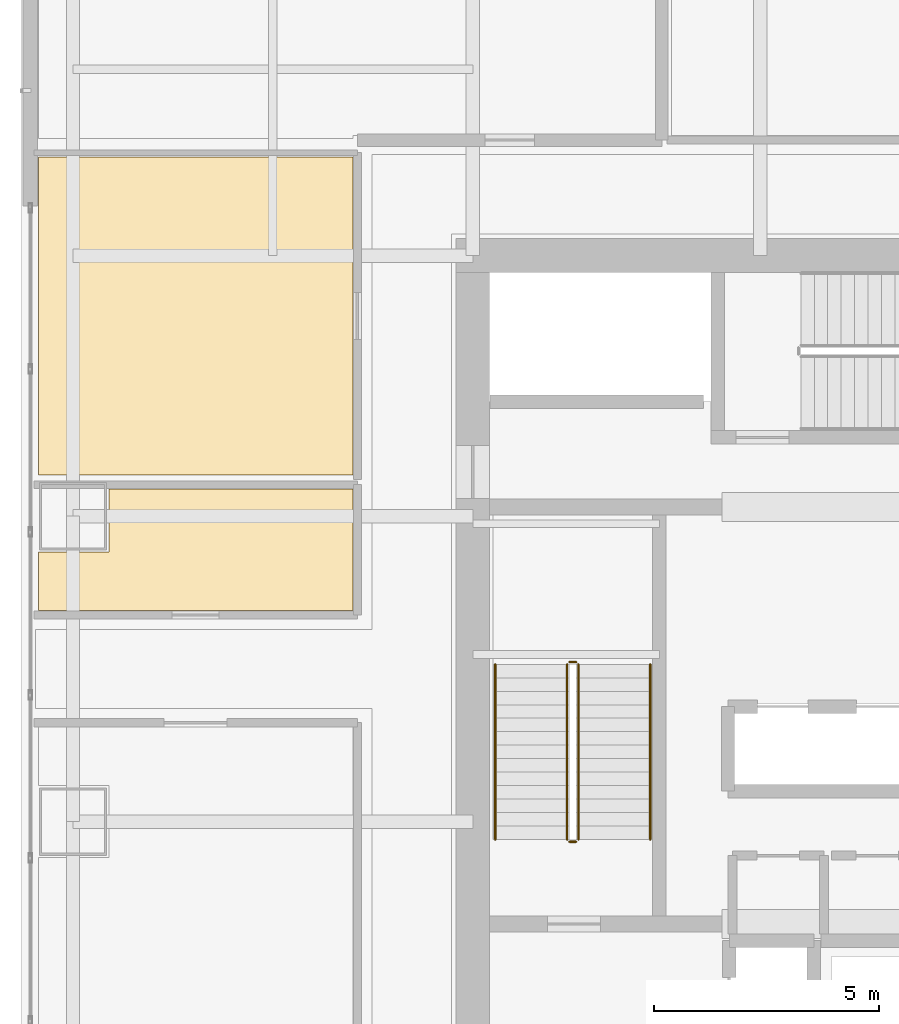
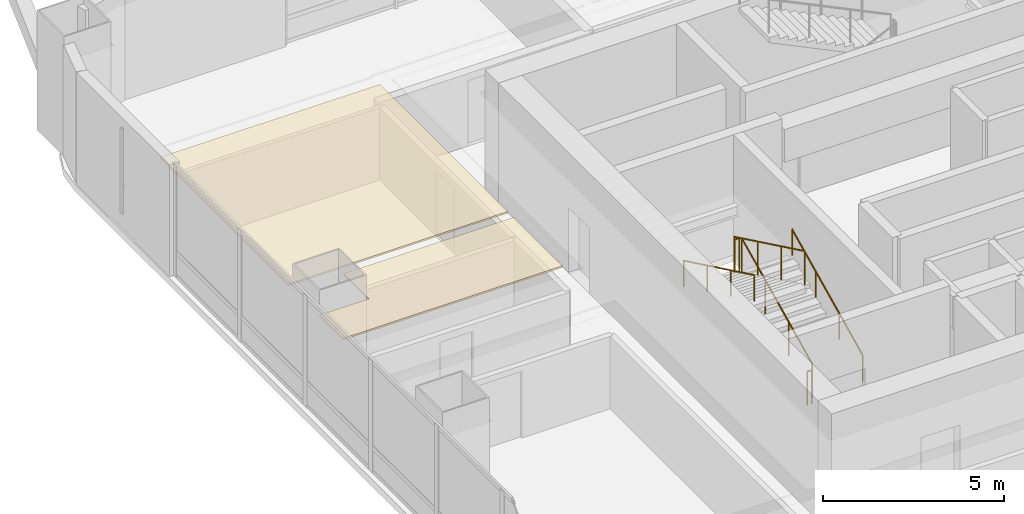
# One storey, part 35 of 42: 6 railings, 2 coverings.
"""IFC4 building model written with IfcOpenShell, lengths in metres."""

from ifc_helpers import new_model, si_unit, direction, frame, origin, origin_2d, place, context, subcontext, project, spatial, polyline, circle, outline, extrude, material, layer, layer_set, type_object, element, save


model = new_model("IFC4")

# Units and contexts
model_context = context("Model", 3, precision=1e-05, world=origin(), true_north=direction((0.0, 1.0)))
body_context = subcontext(model_context, "Body", "Model", "MODEL_VIEW")
ifc_project = project(units=[si_unit("LENGTHUNIT", "METRE"), si_unit("AREAUNIT", "SQUARE_METRE"), si_unit("VOLUMEUNIT", "CUBIC_METRE"), si_unit("PLANEANGLEUNIT", "RADIAN"), si_unit("MASSUNIT", "GRAM", prefix="KILO")], contexts=[model_context])

# Site, building, storey
site_placement = place(None, origin())
site = spatial("IfcSite", under=ifc_project, at=site_placement, CompositionType="ELEMENT")
building_placement = place(site_placement, origin())
building = spatial("IfcBuilding", under=site, at=building_placement, Name="Punatoya Terracotta Tower", CompositionType="ELEMENT")
storey_placement = place(building_placement, frame((0.0, 0.0, 88.949951171875)))
storey = spatial("IfcBuildingStorey", under=building, at=storey_placement, Name="L20", CompositionType="ELEMENT", Elevation=88.949951171875)

# Coverings
ifc_material_1 = material(Name="Acoustic Mineral Fibre Ceiling")
ifc_layer = layer(ifc_material_1, 0.06005859375)
ifc_layer_set = layer_set([ifc_layer], Name="Acoustic Mineral Fibre Ceiling")
covering_type = type_object("IfcCoveringType", Name="COV-CEIL-60", PredefinedType="CEILING", material=ifc_layer_set)
covering_1_placement = place(storey_placement, frame((0.0, 0.0, 3.199951171875)))
element("IfcCovering", 1, at=covering_1_placement, inside=storey, type_object=covering_type, Name="L20 Open-Plan Nutrition Tea Pantry Acoustic Ceiling", PredefinedType="CEILING", context=body_context, shape_type="SweptSolid", body=[
    extrude(outline(polyline([(-19.8701171875, 2.60009765625), (-19.8701171875, 1.300048828125), (-12.8701171875, 1.300048828125), (-12.8701171875, 3.998046875), (-18.300048828125, 3.998046875), (-18.300048828125, 2.60009765625), (-19.8701171875, 2.60009765625)])), origin(), (0.0, 0.0, 1.0), 0.06005859375),
])
covering_2_placement = place(storey_placement, frame((0.0, 0.0, 3.199951171875)))
element("IfcCovering", 2, at=covering_2_placement, inside=storey, type_object=covering_type, Name="L20 Cultural Reading Library Acoustic Ceiling", PredefinedType="CEILING", context=body_context, shape_type="SweptSolid", body=[
    extrude(outline(polyline([(-12.8701171875, 4.318115234375), (-12.8701171875, 11.389892578125), (-19.8701171875, 11.389892578125), (-19.8701171875, 4.318115234375), (-12.8701171875, 4.318115234375)])), origin(), (0.0, 0.0, 1.0), 0.06005859375),
])

# Railings
ifc_material_2 = material(Name="Steel S355", Category="steel")
railing_type_1 = type_object("IfcRailingType", Name="RLG-GRD-1150", PredefinedType="GUARDRAIL", material=ifc_material_2)
railing_1_placement = place(storey_placement, frame((-7.85009765625, -3.800048828125, 0.144775390625)))
element("IfcRailing", 3, at=railing_1_placement, inside=storey, type_object=railing_type_1, Name="L20 ST-1 stair guard 1", PredefinedType="GUARDRAIL", context=body_context, shape_type="SweptSolid", body=[
    extrude(circle(Radius=0.02392578125, at=origin_2d()), frame((0.0, 0.0, 1.1259765625), z_axis=(0.0, 0.900773802044, 0.434288564841), x_axis=(-1.0, 0.0, 0.0)), (0.0, 0.0, 1.0), 4.329833984375),
    extrude(circle(Radius=0.02099609375, at=origin_2d()), origin(), (0.0, 0.0, 1.0), 1.101806640625),
    extrude(circle(Radius=0.02099609375, at=origin_2d()), frame((0.0, 1.300048828125, 0.626708984375)), (0.0, 0.0, 1.0), 1.101806640625),
    extrude(circle(Radius=0.02099609375, at=origin_2d()), frame((0.0, 2.60009765625, 1.253662109375)), (0.0, 0.0, 1.0), 1.101806640625),
    extrude(circle(Radius=0.02099609375, at=origin_2d()), frame((0.0, 3.900146484375, 1.88037109375)), (0.0, 0.0, 1.0), 1.101806640625),
])
railing_2_placement = place(storey_placement, frame((-7.89990234375, 0.14990234375, 2.025146484375)))
element("IfcRailing", 4, at=railing_2_placement, inside=storey, type_object=railing_type_1, Name="L20 ST-1 stair guard 2", PredefinedType="GUARDRAIL", context=body_context, shape_type="SweptSolid", body=[
    extrude(circle(Radius=0.02392578125, at=origin_2d()), frame((0.0, 0.0, 1.1259765625), z_axis=(-1.0, 0.0, 0.0), x_axis=(0.0, -1.0, 0.0)), (0.0, 0.0, 1.0), 0.150146484375),
    extrude(circle(Radius=0.02099609375, at=origin_2d()), origin(), (0.0, 0.0, 1.0), 1.101806640625),
    extrude(circle(Radius=0.02099609375, at=origin_2d()), frame((-0.150146484375, 0.0, 0.0)), (0.0, 0.0, 1.0), 1.101806640625),
])
railing_3_placement = place(storey_placement, frame((-8.10009765625, 0.10009765625, 2.169677734375)))
element("IfcRailing", 5, at=railing_3_placement, inside=storey, type_object=railing_type_1, Name="L20 ST-1 stair guard 3", PredefinedType="GUARDRAIL", context=body_context, shape_type="SweptSolid", body=[
    extrude(circle(Radius=0.02392578125, at=origin_2d()), frame((0.0, 0.0, 1.1259765625), z_axis=(0.0, -0.900773802044, 0.434288564841), x_axis=(1.0, 0.0, 0.0)), (0.0, 0.0, 1.0), 4.329833984375),
    extrude(circle(Radius=0.02099609375, at=origin_2d()), origin(), (0.0, 0.0, 1.0), 1.101806640625),
    extrude(circle(Radius=0.02099609375, at=origin_2d()), frame((0.0, -1.300048828125, 0.626708984375)), (0.0, 0.0, 1.0), 1.101806640625),
    extrude(circle(Radius=0.02099609375, at=origin_2d()), frame((0.0, -2.60009765625, 1.253662109375)), (0.0, 0.0, 1.0), 1.101806640625),
    extrude(circle(Radius=0.02099609375, at=origin_2d()), frame((0.0, -3.900146484375, 1.88037109375)), (0.0, 0.0, 1.0), 1.101806640625),
])
railing_4_placement = place(storey_placement, frame((-7.89990234375, -3.85009765625, 0.0)))
element("IfcRailing", 6, at=railing_4_placement, inside=storey, type_object=railing_type_1, Name="L20 ST-1 stair guard 4", PredefinedType="GUARDRAIL", context=body_context, shape_type="SweptSolid", body=[
    extrude(circle(Radius=0.02392578125, at=origin_2d()), frame((0.0, 0.0, 1.1259765625), z_axis=(-1.0, 0.0, 0.0), x_axis=(0.0, -1.0, 0.0)), (0.0, 0.0, 1.0), 0.150146484375),
    extrude(circle(Radius=0.02099609375, at=origin_2d()), origin(), (0.0, 0.0, 1.0), 1.101806640625),
    extrude(circle(Radius=0.02099609375, at=origin_2d()), frame((-0.150146484375, 0.0, 0.0)), (0.0, 0.0, 1.0), 1.101806640625),
])
railing_type_2 = type_object("IfcRailingType", Name="RLG-HND-900", PredefinedType="HANDRAIL", material=ifc_material_2)
railing_5_placement = place(storey_placement, frame((-6.25, -3.800048828125, 0.144775390625)))
element("IfcRailing", 7, at=railing_5_placement, inside=storey, type_object=railing_type_2, Name="L20 ST-1 stair handrail 1", PredefinedType="HANDRAIL", context=body_context, shape_type="SweptSolid", body=[
    extrude(circle(Radius=0.02392578125, at=origin_2d()), frame((0.0, 0.0, 0.8759765625), z_axis=(0.0, 0.900773802044, 0.434288564841), x_axis=(-1.0, 0.0, 0.0)), (0.0, 0.0, 1.0), 4.329833984375),
    extrude(circle(Radius=0.02099609375, at=origin_2d()), origin(), (0.0, 0.0, 1.0), 0.851806640625),
    extrude(circle(Radius=0.02099609375, at=origin_2d()), frame((0.0, 1.300048828125, 0.626708984375)), (0.0, 0.0, 1.0), 0.851806640625),
    extrude(circle(Radius=0.02099609375, at=origin_2d()), frame((0.0, 2.60009765625, 1.253662109375)), (0.0, 0.0, 1.0), 0.851806640625),
    extrude(circle(Radius=0.02099609375, at=origin_2d()), frame((0.0, 3.900146484375, 1.88037109375)), (0.0, 0.0, 1.0), 0.851806640625),
])
railing_6_placement = place(storey_placement, frame((-9.699951171875, 0.10009765625, 2.169677734375)))
element("IfcRailing", 8, at=railing_6_placement, inside=storey, type_object=railing_type_2, Name="L20 ST-1 stair handrail 2", PredefinedType="HANDRAIL", context=body_context, shape_type="SweptSolid", body=[
    extrude(circle(Radius=0.02392578125, at=origin_2d()), frame((0.0, 0.0, 0.8759765625), z_axis=(0.0, -0.900773802044, 0.434288564841), x_axis=(1.0, 0.0, 0.0)), (0.0, 0.0, 1.0), 4.329833984375),
    extrude(circle(Radius=0.02099609375, at=origin_2d()), origin(), (0.0, 0.0, 1.0), 0.851806640625),
    extrude(circle(Radius=0.02099609375, at=origin_2d()), frame((0.0, -1.300048828125, 0.626708984375)), (0.0, 0.0, 1.0), 0.851806640625),
    extrude(circle(Radius=0.02099609375, at=origin_2d()), frame((0.0, -2.60009765625, 1.253662109375)), (0.0, 0.0, 1.0), 0.851806640625),
    extrude(circle(Radius=0.02099609375, at=origin_2d()), frame((0.0, -3.900146484375, 1.88037109375)), (0.0, 0.0, 1.0), 0.851806640625),
])

save(model, "model.ifc")
